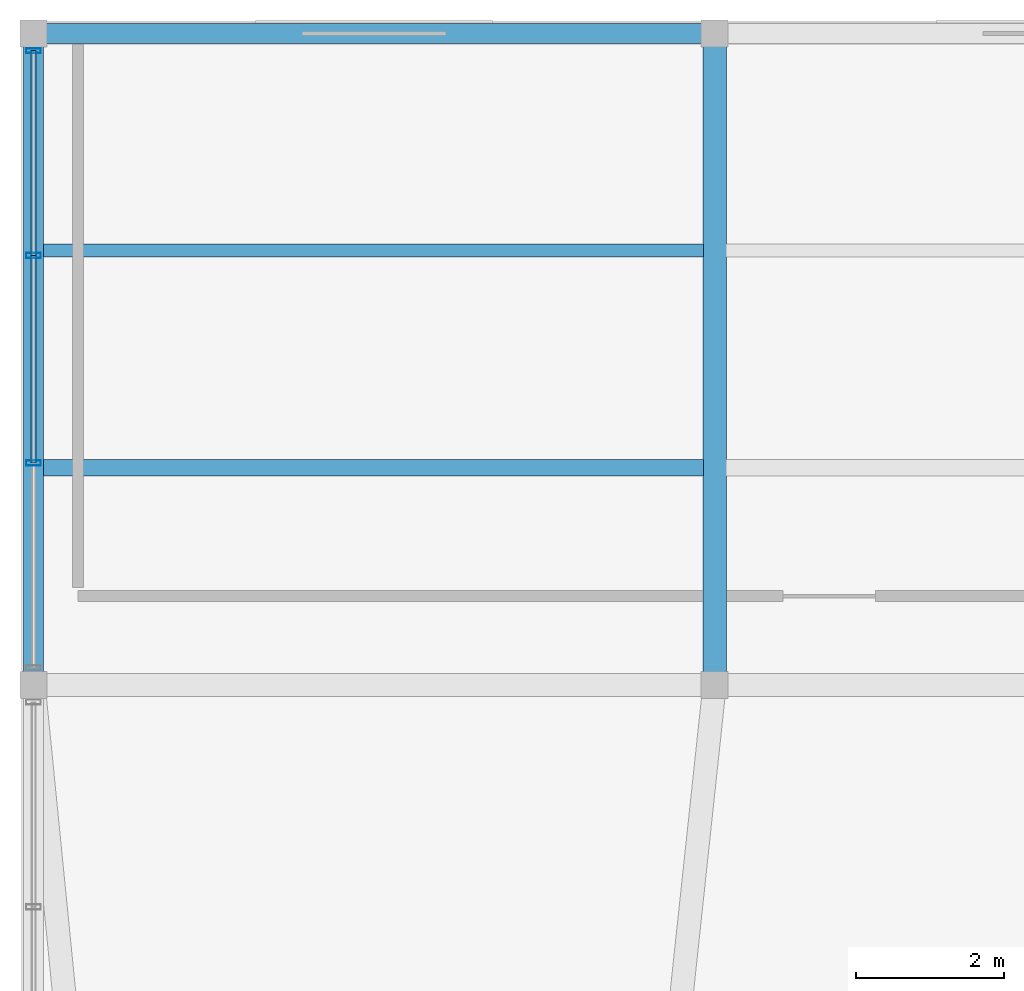
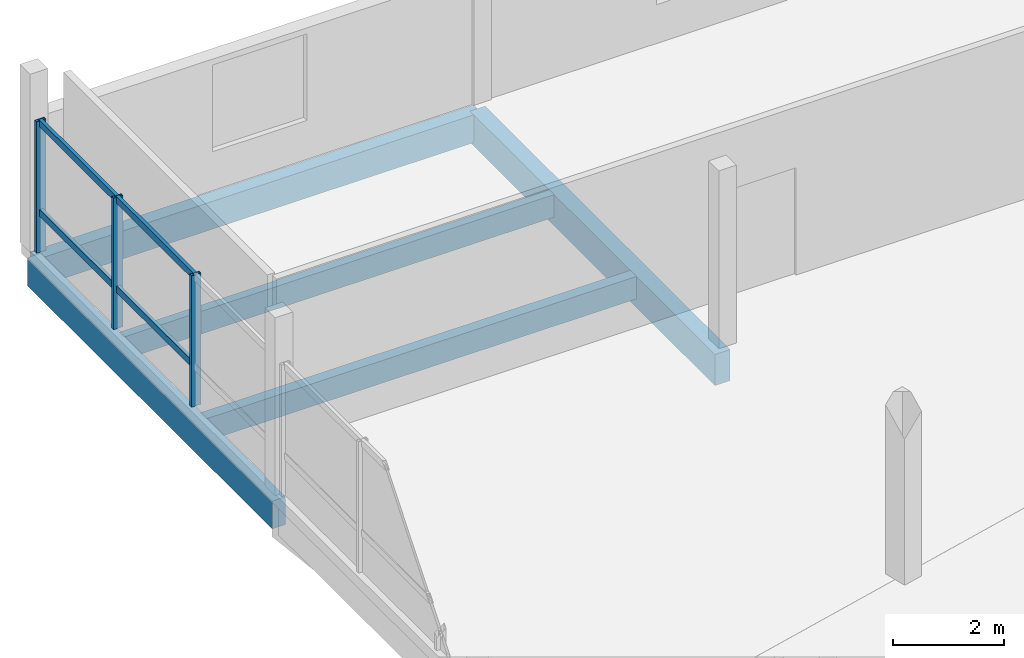
# One storey, part 26 of 39: 7 members, 5 beams, 1 element without a shape of its own.
"""IFC4 building model written with IfcOpenShell, lengths in metres."""

from ifc_helpers import new_model, si_unit, direction, frame, origin, origin_2d, place, context, subcontext, project, spatial, rectangle, hollow_rectangle, extrude, material, layer, layer_set, material_profile, profile_set, type_object, element, aggregate, save


model = new_model("IFC4")

# Units and contexts
model_context = context("Model", 3, precision=1e-05, world=origin(), true_north=direction((0.0, 1.0)))
body_context = subcontext(model_context, "Body", "Model", "MODEL_VIEW")
ifc_project = project(units=[si_unit("LENGTHUNIT", "METRE"), si_unit("AREAUNIT", "SQUARE_METRE"), si_unit("VOLUMEUNIT", "CUBIC_METRE"), si_unit("PLANEANGLEUNIT", "RADIAN"), si_unit("MASSUNIT", "GRAM", prefix="KILO")], contexts=[model_context])

# Site, building, storey
site_placement = place(None, origin())
site = spatial("IfcSite", under=ifc_project, at=site_placement, CompositionType="ELEMENT")
building_placement = place(site_placement, origin())
building = spatial("IfcBuilding", under=site, at=building_placement, Name="Meriwether Solvik Hall", CompositionType="ELEMENT")
storey_placement = place(building_placement, frame((0.0, 0.0, 22.199951171875)))
storey = spatial("IfcBuildingStorey", under=building, at=storey_placement, Name="L05", CompositionType="ELEMENT", Elevation=22.199951171875)

# Beams
ifc_material_1 = material(Name="Glulam Douglas-Fir 24F-V8 GL28h", Category="wood")
ifc_material_profile_1 = material_profile(ifc_material_1, rectangle(XDim=0.27294921875, YDim=0.610107421875, at=origin_2d()), Name="GLB-273X610")
ifc_profile_set_1 = profile_set([ifc_material_profile_1], Name="Glulam Douglas-Fir 24F-V8 GL28h")
beam_type_1 = type_object("IfcBeamType", Name="BM-GL-273X610", PredefinedType="SPANDREL", material=ifc_profile_set_1)
beam_1_placement = place(storey_placement, frame((59.39990234375, 92.800048828125, -0.550048828125), z_axis=(1.0, 0.0, 0.0), x_axis=(0.0, 1.0, 0.0)))
element("IfcBeam", 1, at=beam_1_placement, inside=storey, type_object=beam_type_1, Name="Podium Girder K:7-8 (L05)", PredefinedType="SPANDREL", context=body_context, shape_type="SweptSolid", body=[
    extrude(rectangle(XDim=0.27294921875, YDim=0.610107421875, at=origin_2d()), origin(), (0.0, 0.0, 1.0), 9.2001953125),
])
beam_2_placement = place(storey_placement, frame((59.39990234375, 84.0, -0.550048828125), z_axis=(0.0, 1.0, 0.0), x_axis=(-1.0, 0.0, 0.0)))
element("IfcBeam", 2, at=beam_2_placement, inside=storey, type_object=beam_type_1, Name="Podium Girder 7:J-K (L05)", PredefinedType="SPANDREL", context=body_context, shape_type="SweptSolid", body=[
    extrude(rectangle(XDim=0.27294921875, YDim=0.610107421875, at=origin_2d()), origin(), (0.0, 0.0, 1.0), 8.800048828125),
])
ifc_material_2 = material(Name="Glulam Douglas-Fir 24F-V8 GL28h", Category="wood")
ifc_material_profile_2 = material_profile(ifc_material_2, rectangle(XDim=0.31494140625, YDim=0.68505859375, at=origin_2d()), Name="GLB-315X685")
ifc_profile_set_2 = profile_set([ifc_material_profile_2], Name="Glulam Douglas-Fir 24F-V8 GL28h")
beam_type_2 = type_object("IfcBeamType", Name="BM-GL-315X685", PredefinedType="BEAM", material=ifc_profile_set_2)
beam_3_placement = place(storey_placement, frame((68.60009765625, 84.0, -0.58740234375), z_axis=(0.0, 1.0, 0.0), x_axis=(-1.0, 0.0, 0.0)))
element("IfcBeam", 3, at=beam_3_placement, inside=storey, type_object=beam_type_2, Name="Podium Girder 8:J-K (L05)", PredefinedType="BEAM", context=body_context, shape_type="SweptSolid", body=[
    extrude(rectangle(XDim=0.31494140625, YDim=0.68505859375, at=origin_2d()), origin(), (0.0, 0.0, 1.0), 8.800048828125),
])

# Curtain wall, members
ifc_material_3 = material(Name="Thermally Broken Anodised Aluminium 6063-T6 and Low-E Glass", Category="aluminium")
ifc_layer = layer(ifc_material_3, 0.179931640625)
ifc_layer_set = layer_set([ifc_layer], Name="Thermally Broken Anodised Aluminium 6063-T6 and Low-E Glass")
curtain_wall_type = type_object("IfcCurtainWallType", Name="CW-UNIT-E", PredefinedType="USERDEFINED", material=ifc_layer_set)
curtain_wall_placement = place(storey_placement, origin())
curtain_wall = element("IfcCurtainWall", 4, at=curtain_wall_placement, inside=storey, type_object=curtain_wall_type, Name="Curtain Wall wing_Y7_10_17 (L05)", ObjectType="UNITISED CURTAIN WALL", PredefinedType="USERDEFINED")
ifc_material_4 = material(Name="Anodised Aluminium 6063-T6", Category="aluminium")
ifc_material_profile_3 = material_profile(ifc_material_4, hollow_rectangle(XDim=0.070068359375, YDim=0.199951171875, WallThickness=0.0048828125, at=origin_2d()), Name="CWM-70X200")
ifc_profile_set_3 = profile_set([ifc_material_profile_3], Name="Anodised Aluminium 6063-T6")
member_type_1 = type_object("IfcMemberType", Name="CW-MUL-70X200", PredefinedType="MULLION", material=ifc_profile_set_3)
member_1_placement = place(storey_placement, frame((59.39990234375, 86.998291015625, 0.0), z_axis=(0.0, 0.0, 1.0), x_axis=(0.0, 1.0, 0.0)))
member_1 = element("IfcMember", 5, at=member_1_placement, type_object=member_type_1, Name="Curtain Wall Mullion 2", PredefinedType="MULLION", context=body_context, shape_type="SweptSolid", body=[
    extrude(hollow_rectangle(XDim=0.070068359375, YDim=0.199951171875, WallThickness=0.0048828125, at=origin_2d()), origin(), (0.0, 0.0, 1.0), 2.880126953125),
])
member_2_placement = place(storey_placement, frame((59.39990234375, 89.8017578125, 0.0), z_axis=(0.0, 0.0, 1.0), x_axis=(0.0, 1.0, 0.0)))
member_2 = element("IfcMember", 6, at=member_2_placement, type_object=member_type_1, Name="Curtain Wall Mullion 3", PredefinedType="MULLION", context=body_context, shape_type="SweptSolid", body=[
    extrude(hollow_rectangle(XDim=0.070068359375, YDim=0.199951171875, WallThickness=0.0048828125, at=origin_2d()), origin(), (0.0, 0.0, 1.0), 2.880126953125),
])
member_3_placement = place(storey_placement, frame((59.39990234375, 92.5673828125, 0.0), z_axis=(0.0, 0.0, 1.0), x_axis=(0.0, 1.0, 0.0)))
member_3 = element("IfcMember", 7, at=member_3_placement, type_object=member_type_1, Name="Curtain Wall Mullion 4", PredefinedType="MULLION", context=body_context, shape_type="SweptSolid", body=[
    extrude(hollow_rectangle(XDim=0.070068359375, YDim=0.199951171875, WallThickness=0.0048828125, at=origin_2d()), origin(), (0.0, 0.0, 1.0), 2.880126953125),
])
ifc_material_5 = material(Name="Anodised Aluminium 6063-T6", Category="aluminium")
ifc_material_profile_4 = material_profile(ifc_material_5, hollow_rectangle(XDim=0.070068359375, YDim=0.14990234375, WallThickness=0.0048828125, at=origin_2d()), Name="CWT-70X150")
ifc_profile_set_4 = profile_set([ifc_material_profile_4], Name="Anodised Aluminium 6063-T6")
member_type_2 = type_object("IfcMemberType", Name="CW-TRN-70X150", PredefinedType="USERDEFINED", material=ifc_profile_set_4)
member_4_placement = place(storey_placement, frame((59.39990234375, 86.998291015625, 0.864013671875), z_axis=(0.0, 1.0, 0.0), x_axis=(-1.0, 0.0, 0.0)))
member_4 = element("IfcMember", 8, at=member_4_placement, type_object=member_type_2, Name="Curtain Wall Transom 2-sill", ObjectType="TRANSOM", PredefinedType="USERDEFINED", context=body_context, shape_type="SweptSolid", body=[
    extrude(hollow_rectangle(XDim=0.070068359375, YDim=0.14990234375, WallThickness=0.0048828125, at=origin_2d()), origin(), (0.0, 0.0, 1.0), 2.803466796875),
])
member_5_placement = place(storey_placement, frame((59.39990234375, 86.998291015625, 2.820068359375), z_axis=(0.0, 1.0, 0.0), x_axis=(-1.0, 0.0, 0.0)))
member_5 = element("IfcMember", 9, at=member_5_placement, type_object=member_type_2, Name="Curtain Wall Transom 2-head", ObjectType="TRANSOM", PredefinedType="USERDEFINED", context=body_context, shape_type="SweptSolid", body=[
    extrude(hollow_rectangle(XDim=0.070068359375, YDim=0.14990234375, WallThickness=0.0048828125, at=origin_2d()), origin(), (0.0, 0.0, 1.0), 2.803466796875),
])
member_6_placement = place(storey_placement, frame((59.39990234375, 89.8017578125, 0.864013671875), z_axis=(0.0, 1.0, 0.0), x_axis=(-1.0, 0.0, 0.0)))
member_6 = element("IfcMember", 10, at=member_6_placement, type_object=member_type_2, Name="Curtain Wall Transom 3-sill", ObjectType="TRANSOM", PredefinedType="USERDEFINED", context=body_context, shape_type="SweptSolid", body=[
    extrude(hollow_rectangle(XDim=0.070068359375, YDim=0.14990234375, WallThickness=0.0048828125, at=origin_2d()), origin(), (0.0, 0.0, 1.0), 2.765625),
])
member_7_placement = place(storey_placement, frame((59.39990234375, 89.8017578125, 2.820068359375), z_axis=(0.0, 1.0, 0.0), x_axis=(-1.0, 0.0, 0.0)))
member_7 = element("IfcMember", 11, at=member_7_placement, type_object=member_type_2, Name="Curtain Wall Transom 3-head", ObjectType="TRANSOM", PredefinedType="USERDEFINED", context=body_context, shape_type="SweptSolid", body=[
    extrude(hollow_rectangle(XDim=0.070068359375, YDim=0.14990234375, WallThickness=0.0048828125, at=origin_2d()), origin(), (0.0, 0.0, 1.0), 2.765625),
])
aggregate(curtain_wall, [member_1, member_2, member_3, member_4, member_5, member_6, member_7])

# Beams
ifc_material_6 = material(Name="Glulam Douglas-Fir 24F-V8 GL28h", Category="wood")
ifc_material_profile_5 = material_profile(ifc_material_6, rectangle(XDim=0.175048828125, YDim=0.4951171875, at=origin_2d()), Name="GLJ-175X495")
ifc_profile_set_5 = profile_set([ifc_material_profile_5], Name="Glulam Douglas-Fir 24F-V8 GL28h")
beam_type_3 = type_object("IfcBeamType", Name="JST-GL-175X495", PredefinedType="JOIST", material=ifc_profile_set_5)
beam_4_placement = place(storey_placement, frame((59.531494140625, 89.86669921875, -0.492431640625), z_axis=(1.0, 0.0, 0.0), x_axis=(0.0, 1.0, 0.0)))
element("IfcBeam", 12, at=beam_4_placement, inside=storey, type_object=beam_type_3, Name="Secondary Floor Joist 7/J_J2 (L05)", PredefinedType="JOIST", context=body_context, shape_type="SweptSolid", body=[
    extrude(rectangle(XDim=0.175048828125, YDim=0.4951171875, at=origin_2d()), origin(), (0.0, 0.0, 1.0), 8.916015625),
])
ifc_material_7 = material(Name="Glulam Douglas-Fir 24F-V8 GL28h", Category="wood")
ifc_material_profile_6 = material_profile(ifc_material_7, rectangle(XDim=0.221923828125, YDim=0.4951171875, at=origin_2d()), Name="GLJ-222X495")
ifc_profile_set_6 = profile_set([ifc_material_profile_6], Name="Glulam Douglas-Fir 24F-V8 GL28h")
beam_type_4 = type_object("IfcBeamType", Name="JST-GL-222X495", PredefinedType="JOIST", material=ifc_profile_set_6)
beam_5_placement = place(storey_placement, frame((59.531494140625, 86.933349609375, -0.492431640625), z_axis=(1.0, 0.0, 0.0), x_axis=(0.0, 1.0, 0.0)))
element("IfcBeam", 13, at=beam_5_placement, inside=storey, type_object=beam_type_4, Name="Secondary Floor Joist 7/J_J1 (L05)", PredefinedType="JOIST", context=body_context, shape_type="SweptSolid", body=[
    extrude(rectangle(XDim=0.221923828125, YDim=0.4951171875, at=origin_2d()), origin(), (0.0, 0.0, 1.0), 8.916015625),
])

save(model, "model.ifc")
